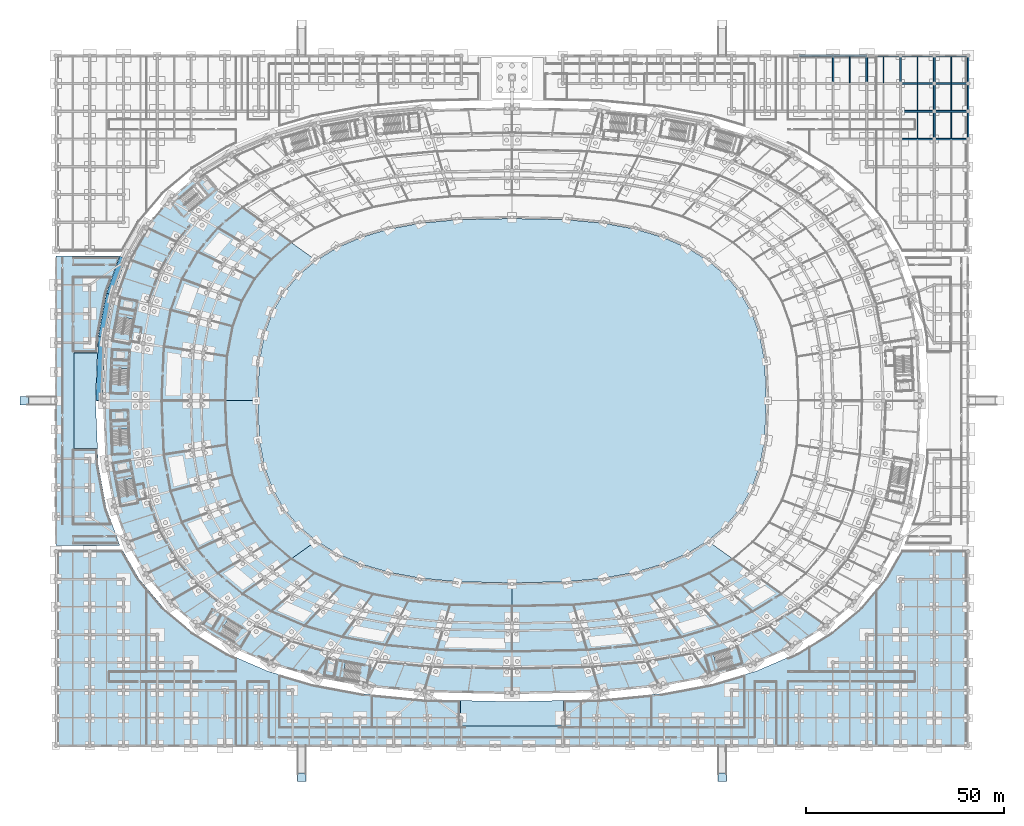
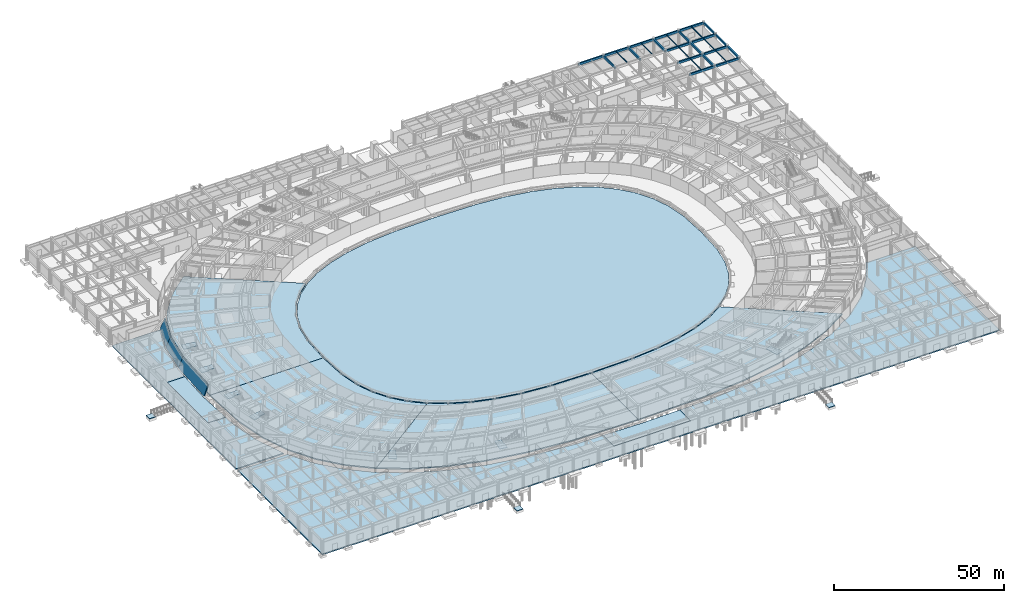
# One storey, part 38 of 88: 28 beams, 22 slabs, 10 elements without a shape of their own.
"""IFC4 building model written with IfcOpenShell, lengths in metres."""

from ifc_helpers import new_model, si_unit, direction, frame, origin, origin_2d, place, context, subcontext, project, spatial, polyline, rectangle, i_section, outline, extrude, material, layer, layer_set, material_profile, profile_set, type_object, element, aggregate, save


model = new_model("IFC4")

# Units and contexts
model_context = context("Model", 3, precision=1e-05, world=origin(), true_north=direction((0.0, 1.0)))
body_context = subcontext(model_context, "Body", "Model", "MODEL_VIEW")
ifc_project = project(units=[si_unit("LENGTHUNIT", "METRE"), si_unit("AREAUNIT", "SQUARE_METRE"), si_unit("VOLUMEUNIT", "CUBIC_METRE"), si_unit("PLANEANGLEUNIT", "RADIAN"), si_unit("MASSUNIT", "GRAM", prefix="KILO")], contexts=[model_context])

# Site, building, storey
site_placement = place(None, origin())
site = spatial("IfcSite", under=ifc_project, at=site_placement, CompositionType="ELEMENT")
building_placement = place(site_placement, origin())
building = spatial("IfcBuilding", under=site, at=building_placement, Name="Mphavela Belvedere Stadium", CompositionType="ELEMENT")
storey_placement = place(building_placement, origin())
storey = spatial("IfcBuildingStorey", under=building, at=storey_placement, Name="L00", CompositionType="ELEMENT", Elevation=0.0)

# Beams
ifc_material_1 = material(Name="Steel S355", Category="steel")
ifc_material_profile_1 = material_profile(ifc_material_1, i_section(OverallWidth=0.169921875, OverallDepth=0.360107421875, WebThickness=0.008056640625, FlangeThickness=0.0126953125, at=origin_2d()), Name="IPE 360")
ifc_profile_set_1 = profile_set([ifc_material_profile_1], Name="Steel S355")
beam_type_1 = type_object("IfcBeamType", Name="BM-JOIST-IPE360", PredefinedType="JOIST", material=ifc_profile_set_1)
for number, where, z_axis, x_axis, name in (
    (1, (200.18505859375, 167.22509765625, 4.9599609375), (0.0, 1.0, 0.0), (-1.0, 0.0, 0.0), "North Mast and Ceremonial End Forecourt secondary joist L00 24-7"),
    (2, (208.70361328125, 167.22509765625, 4.9599609375), (0.0, 1.0, 0.0), (-1.0, 0.0, 0.0), "North Mast and Ceremonial End Forecourt secondary joist L00 25-7"),
    (3, (217.221923828125, 153.22509765625, 4.9599609375), (0.0, 1.0, 0.0), (-1.0, 0.0, 0.0), "North Mast and Ceremonial End Forecourt secondary joist L00 26-5"),
    (4, (217.221923828125, 160.22509765625, 4.9599609375), (0.0, 1.0, 0.0), (-1.0, 0.0, 0.0), "North Mast and Ceremonial End Forecourt secondary joist L00 26-6"),
    (5, (217.221923828125, 167.22509765625, 4.9599609375), (0.0, 1.0, 0.0), (-1.0, 0.0, 0.0), "North Mast and Ceremonial End Forecourt secondary joist L00 26-7"),
    (6, (225.740478515625, 153.22509765625, 4.9599609375), (0.0, 1.0, 0.0), (-1.0, 0.0, 0.0), "North Mast and Ceremonial End Forecourt secondary joist L00 27-5"),
    (7, (225.740478515625, 160.22509765625, 4.9599609375), (0.0, 1.0, 0.0), (-1.0, 0.0, 0.0), "North Mast and Ceremonial End Forecourt secondary joist L00 27-6"),
    (8, (225.740478515625, 167.22509765625, 4.9599609375), (0.0, 1.0, 0.0), (-1.0, 0.0, 0.0), "North Mast and Ceremonial End Forecourt secondary joist L00 27-7"),
):
    element("IfcBeam", number, at=place(storey_placement, frame(where, z_axis=z_axis, x_axis=x_axis)), inside=storey, type_object=beam_type_1, Name=name, PredefinedType="JOIST", context=body_context, shape_type="SweptSolid", body=[
        extrude(i_section(OverallWidth=0.169921875, OverallDepth=0.360107421875, WebThickness=0.008056640625, FlangeThickness=0.0126953125, at=origin_2d()), origin(), (0.0, 0.0, 1.0), 6.5498046875),
    ])
ifc_material_2 = material(Name="Concrete C40/50", Category="concrete")
ifc_material_profile_2 = material_profile(ifc_material_2, rectangle(XDim=0.449951171875, YDim=0.75, at=origin_2d()), Name="RC 450x750")
ifc_profile_set_2 = profile_set([ifc_material_profile_2], Name="Concrete C40/50")
beam_type_2 = type_object("IfcBeamType", Name="BM-RC450x750", PredefinedType="BEAM", material=ifc_profile_set_2)
beam_1_placement = place(storey_placement, frame((187.406982421875, 174.0, 4.764892578125), z_axis=(1.0, 0.0, 0.0), x_axis=(0.0, 1.0, 0.0)))
element("IfcBeam", 9, at=beam_1_placement, inside=storey, type_object=beam_type_2, Name="North Mast and Ceremonial End Forecourt entablature beam X L00 23-8", PredefinedType="BEAM", context=body_context, shape_type="SweptSolid", body=[
    extrude(rectangle(XDim=0.449951171875, YDim=0.75, at=origin_2d()), origin(), (0.0, 0.0, 1.0), 8.51904296875),
])
beam_2_placement = place(storey_placement, frame((195.926025390625, 167.0, 4.764892578125), z_axis=(0.0, 1.0, 0.0), x_axis=(-1.0, 0.0, 0.0)))
element("IfcBeam", 10, at=beam_2_placement, inside=storey, type_object=beam_type_2, Name="North Mast and Ceremonial End Forecourt entablature beam Y L00 24-7", PredefinedType="BEAM", context=body_context, shape_type="SweptSolid", body=[
    extrude(rectangle(XDim=0.449951171875, YDim=0.75, at=origin_2d()), origin(), (0.0, 0.0, 1.0), 7.0),
])
beam_3_placement = place(storey_placement, frame((195.926025390625, 174.0, 4.764892578125), z_axis=(1.0, 0.0, 0.0), x_axis=(0.0, 1.0, 0.0)))
element("IfcBeam", 11, at=beam_3_placement, inside=storey, type_object=beam_type_2, Name="North Mast and Ceremonial End Forecourt entablature beam X L00 24-8", PredefinedType="BEAM", context=body_context, shape_type="SweptSolid", body=[
    extrude(rectangle(XDim=0.449951171875, YDim=0.75, at=origin_2d()), origin(), (0.0, 0.0, 1.0), 8.51806640625),
])
beam_4_placement = place(storey_placement, frame((204.444091796875, 167.0, 4.764892578125), z_axis=(0.0, 1.0, 0.0), x_axis=(-1.0, 0.0, 0.0)))
element("IfcBeam", 12, at=beam_4_placement, inside=storey, type_object=beam_type_2, Name="North Mast and Ceremonial End Forecourt entablature beam Y L00 25-7", PredefinedType="BEAM", context=body_context, shape_type="SweptSolid", body=[
    extrude(rectangle(XDim=0.449951171875, YDim=0.75, at=origin_2d()), origin(), (0.0, 0.0, 1.0), 7.0),
])
beam_5_placement = place(storey_placement, frame((204.444091796875, 174.0, 4.764892578125), z_axis=(1.0, 0.0, 0.0), x_axis=(0.0, 1.0, 0.0)))
element("IfcBeam", 13, at=beam_5_placement, inside=storey, type_object=beam_type_2, Name="North Mast and Ceremonial End Forecourt entablature beam X L00 25-8", PredefinedType="BEAM", context=body_context, shape_type="SweptSolid", body=[
    extrude(rectangle(XDim=0.449951171875, YDim=0.75, at=origin_2d()), origin(), (0.0, 0.0, 1.0), 8.518798828125),
])
for number, where, z_axis, x_axis, name in (
    (14, (212.962890625, 153.0, 4.764892578125), (1.0, 0.0, 0.0), (0.0, 1.0, 0.0), "North Mast and Ceremonial End Forecourt entablature beam X L00 26-5"),
    (15, (212.962890625, 160.0, 4.764892578125), (1.0, 0.0, 0.0), (0.0, 1.0, 0.0), "North Mast and Ceremonial End Forecourt entablature beam X L00 26-6"),
    (16, (212.962890625, 167.0, 4.764892578125), (1.0, 0.0, 0.0), (0.0, 1.0, 0.0), "North Mast and Ceremonial End Forecourt entablature beam X L00 26-7"),
):
    element("IfcBeam", number, at=place(storey_placement, frame(where, z_axis=z_axis, x_axis=x_axis)), inside=storey, type_object=beam_type_2, Name=name, PredefinedType="BEAM", context=body_context, shape_type="SweptSolid", body=[
        extrude(rectangle(XDim=0.449951171875, YDim=0.75, at=origin_2d()), origin(), (0.0, 0.0, 1.0), 8.51806640625),
    ])
beam_6_placement = place(storey_placement, frame((212.962890625, 167.0, 4.764892578125), z_axis=(0.0, 1.0, 0.0), x_axis=(-1.0, 0.0, 0.0)))
element("IfcBeam", 17, at=beam_6_placement, inside=storey, type_object=beam_type_2, Name="North Mast and Ceremonial End Forecourt entablature beam Y L00 26-7", PredefinedType="BEAM", context=body_context, shape_type="SweptSolid", body=[
    extrude(rectangle(XDim=0.449951171875, YDim=0.75, at=origin_2d()), origin(), (0.0, 0.0, 1.0), 7.0),
])
beam_7_placement = place(storey_placement, frame((212.962890625, 174.0, 4.764892578125), z_axis=(1.0, 0.0, 0.0), x_axis=(0.0, 1.0, 0.0)))
element("IfcBeam", 18, at=beam_7_placement, inside=storey, type_object=beam_type_2, Name="North Mast and Ceremonial End Forecourt entablature beam X L00 26-8", PredefinedType="BEAM", context=body_context, shape_type="SweptSolid", body=[
    extrude(rectangle(XDim=0.449951171875, YDim=0.75, at=origin_2d()), origin(), (0.0, 0.0, 1.0), 8.51806640625),
])
beam_8_placement = place(storey_placement, frame((221.48095703125, 153.0, 4.764892578125), z_axis=(1.0, 0.0, 0.0), x_axis=(0.0, 1.0, 0.0)))
element("IfcBeam", 19, at=beam_8_placement, inside=storey, type_object=beam_type_2, Name="North Mast and Ceremonial End Forecourt entablature beam X L00 27-5", PredefinedType="BEAM", context=body_context, shape_type="SweptSolid", body=[
    extrude(rectangle(XDim=0.449951171875, YDim=0.75, at=origin_2d()), origin(), (0.0, 0.0, 1.0), 8.51904296875),
])
beam_9_placement = place(storey_placement, frame((221.48095703125, 153.0, 4.764892578125), z_axis=(0.0, 1.0, 0.0), x_axis=(-1.0, 0.0, 0.0)))
element("IfcBeam", 20, at=beam_9_placement, inside=storey, type_object=beam_type_2, Name="North Mast and Ceremonial End Forecourt entablature beam Y L00 27-5", PredefinedType="BEAM", context=body_context, shape_type="SweptSolid", body=[
    extrude(rectangle(XDim=0.449951171875, YDim=0.75, at=origin_2d()), origin(), (0.0, 0.0, 1.0), 7.0),
])
beam_10_placement = place(storey_placement, frame((221.48095703125, 160.0, 4.764892578125), z_axis=(1.0, 0.0, 0.0), x_axis=(0.0, 1.0, 0.0)))
element("IfcBeam", 21, at=beam_10_placement, inside=storey, type_object=beam_type_2, Name="North Mast and Ceremonial End Forecourt entablature beam X L00 27-6", PredefinedType="BEAM", context=body_context, shape_type="SweptSolid", body=[
    extrude(rectangle(XDim=0.449951171875, YDim=0.75, at=origin_2d()), origin(), (0.0, 0.0, 1.0), 8.51904296875),
])
beam_11_placement = place(storey_placement, frame((221.48095703125, 160.0, 4.764892578125), z_axis=(0.0, 1.0, 0.0), x_axis=(-1.0, 0.0, 0.0)))
element("IfcBeam", 22, at=beam_11_placement, inside=storey, type_object=beam_type_2, Name="North Mast and Ceremonial End Forecourt entablature beam Y L00 27-6", PredefinedType="BEAM", context=body_context, shape_type="SweptSolid", body=[
    extrude(rectangle(XDim=0.449951171875, YDim=0.75, at=origin_2d()), origin(), (0.0, 0.0, 1.0), 7.0),
])
beam_12_placement = place(storey_placement, frame((221.48095703125, 167.0, 4.764892578125), z_axis=(1.0, 0.0, 0.0), x_axis=(0.0, 1.0, 0.0)))
element("IfcBeam", 23, at=beam_12_placement, inside=storey, type_object=beam_type_2, Name="North Mast and Ceremonial End Forecourt entablature beam X L00 27-7", PredefinedType="BEAM", context=body_context, shape_type="SweptSolid", body=[
    extrude(rectangle(XDim=0.449951171875, YDim=0.75, at=origin_2d()), origin(), (0.0, 0.0, 1.0), 8.51904296875),
])
beam_13_placement = place(storey_placement, frame((221.48095703125, 167.0, 4.764892578125), z_axis=(0.0, 1.0, 0.0), x_axis=(-1.0, 0.0, 0.0)))
element("IfcBeam", 24, at=beam_13_placement, inside=storey, type_object=beam_type_2, Name="North Mast and Ceremonial End Forecourt entablature beam Y L00 27-7", PredefinedType="BEAM", context=body_context, shape_type="SweptSolid", body=[
    extrude(rectangle(XDim=0.449951171875, YDim=0.75, at=origin_2d()), origin(), (0.0, 0.0, 1.0), 7.0),
])
beam_14_placement = place(storey_placement, frame((221.48095703125, 174.0, 4.764892578125), z_axis=(1.0, 0.0, 0.0), x_axis=(0.0, 1.0, 0.0)))
element("IfcBeam", 25, at=beam_14_placement, inside=storey, type_object=beam_type_2, Name="North Mast and Ceremonial End Forecourt entablature beam X L00 27-8", PredefinedType="BEAM", context=body_context, shape_type="SweptSolid", body=[
    extrude(rectangle(XDim=0.449951171875, YDim=0.75, at=origin_2d()), origin(), (0.0, 0.0, 1.0), 8.51904296875),
])
for number, where, z_axis, x_axis, name in (
    (26, (230.0, 153.0, 4.764892578125), (0.0, 1.0, 0.0), (-1.0, 0.0, 0.0), "North Mast and Ceremonial End Forecourt entablature beam Y L00 28-5"),
    (27, (230.0, 160.0, 4.764892578125), (0.0, 1.0, 0.0), (-1.0, 0.0, 0.0), "North Mast and Ceremonial End Forecourt entablature beam Y L00 28-6"),
    (28, (230.0, 167.0, 4.764892578125), (0.0, 1.0, 0.0), (-1.0, 0.0, 0.0), "North Mast and Ceremonial End Forecourt entablature beam Y L00 28-7"),
):
    element("IfcBeam", number, at=place(storey_placement, frame(where, z_axis=z_axis, x_axis=x_axis)), inside=storey, type_object=beam_type_2, Name=name, PredefinedType="BEAM", context=body_context, shape_type="SweptSolid", body=[
        extrude(rectangle(XDim=0.449951171875, YDim=0.75, at=origin_2d()), origin(), (0.0, 0.0, 1.0), 7.0),
    ])

# Slabs
ifc_material_3 = material(Name="Concrete C35/45", Category="concrete")
ifc_layer_1 = layer(ifc_material_3, 0.419921875)
ifc_layer_set_1 = layer_set([ifc_layer_1], Name="Concrete C35/45")
slab_type_1 = type_object("IfcSlabType", Name="SLB-BASE-420", PredefinedType="BASESLAB", material=ifc_layer_set_1)
slab_1_placement = place(storey_placement, frame((0.0, 0.0, -0.419921875)))
element("IfcSlab", 29, at=slab_1_placement, inside=storey, type_object=slab_type_1, Name="South Axial Triumphal Peristyle Portico floor slab L00-1", PredefinedType="BASESLAB", context=body_context, shape_type="SweptSolid", body=[
    extrude(outline(polyline([(0.0, 0.0), (0.0, 49.5), (16.653564453125, 49.5), (20.852783203125, 42.2373046875), (20.957763671875, 42.0732421875), (21.07666015625, 41.919189453125), (26.980712890625, 34.927001953125), (27.106201171875, 34.79052734375), (27.242919921875, 34.6650390625), (34.425537109375, 28.60400390625), (34.5595703125, 28.499755859375), (34.700927734375, 28.406005859375), (43.160400390625, 23.259521484375), (43.4287109375, 23.12060546875), (53.1875, 18.89013671875), (53.436279296875, 18.7998046875), (64.57275390625, 15.494140625), (64.7958984375, 15.440185546875), (77.5244140625, 13.06982421875), (77.718505859375, 13.04248046875), (92.676513671875, 11.6162109375), (92.837890625, 11.606689453125), (102.0, 11.409423828125), (102.0, 5.0), (128.0, 5.0), (128.0, 11.409423828125), (137.162109375, 11.606689453125), (137.323486328125, 11.6162109375), (152.281494140625, 13.04248046875), (152.4755859375, 13.06982421875), (165.2041015625, 15.440185546875), (165.42724609375, 15.494140625), (176.563720703125, 18.7998046875), (176.8125, 18.89013671875), (186.5712890625, 23.12060546875), (186.839599609375, 23.259521484375), (195.299072265625, 28.406005859375), (195.4404296875, 28.499755859375), (195.574462890625, 28.60400390625), (202.757080078125, 34.6650390625), (202.893798828125, 34.79052734375), (203.019287109375, 34.927001953125), (208.92333984375, 41.919189453125), (209.042236328125, 42.0732421875), (209.147216796875, 42.2373046875), (213.346435546875, 49.5), (230.0, 49.5), (230.0, 0.0), (0.0, 0.0)])), origin(), (0.0, 0.0, 1.0), 0.419921875),
])
slab_2_placement = place(storey_placement, frame((0.0, 0.0, -0.419921875)))
element("IfcSlab", 30, at=slab_2_placement, inside=storey, type_object=slab_type_1, Name="West Planted Eaves Peristyle Colonnade floor slab L00-1", PredefinedType="BASESLAB", context=body_context, shape_type="SweptSolid", body=[
    extrude(outline(polyline([(16.103759765625, 123.5), (12.767333984375, 114.312744140625), (12.712646484375, 114.140380859375), (12.67236328125, 113.96435546875), (10.681640625, 103.246826171875), (10.646484375, 102.937255859375), (10.4814453125, 99.0), (4.5, 99.0), (4.5, 75.0), (10.4814453125, 75.0), (10.646484375, 71.062744140625), (10.681640625, 70.753173828125), (12.67236328125, 60.03564453125), (12.712646484375, 59.859619140625), (12.767333984375, 59.687255859375), (16.103759765625, 50.5), (0.0, 50.5), (0.0, 123.5), (16.103759765625, 123.5)])), origin(), (0.0, 0.0, 1.0), 0.419921875),
])
slab_3_placement = place(storey_placement, frame((0.0, 0.0, -0.419921875)))
element("IfcSlab", 31, at=slab_3_placement, inside=storey, type_object=slab_type_1, Name="Concourse sector slab L00-S4", PredefinedType="BASESLAB", context=body_context, shape_type="SweptSolid", body=[
    extrude(outline(polyline([(50.911865234375, 96.9404296875), (50.4951171875, 87.0), (12.179931640625, 87.0), (12.844482421875, 102.844970703125), (14.83544921875, 113.5625), (18.143798828125, 122.682373046875), (22.757568359375, 130.66162109375), (28.66162109375, 137.653564453125), (35.844482421875, 143.714599609375), (65.341064453125, 122.580322265625), (60.8349609375, 118.77783203125), (57.130859375, 114.391357421875), (54.236572265625, 109.385498046875), (52.160888671875, 103.664306640625), (50.911865234375, 96.9404296875)])), origin(), (0.0, 0.0, 1.0), 0.419921875),
])
slab_4_placement = place(storey_placement, frame((0.0, 0.0, -0.419921875)))
element("IfcSlab", 32, at=slab_4_placement, inside=storey, type_object=slab_type_1, Name="Concourse sector slab L00-S5", PredefinedType="BASESLAB", context=body_context, shape_type="SweptSolid", body=[
    extrude(outline(polyline([(60.8349609375, 55.22216796875), (65.341064453125, 51.419677734375), (35.844482421875, 30.285400390625), (28.66162109375, 36.346435546875), (22.757568359375, 43.33837890625), (18.143798828125, 51.317626953125), (14.83544921875, 60.4375), (12.844482421875, 71.155029296875), (12.179931640625, 87.0), (50.4951171875, 87.0), (50.911865234375, 77.0595703125), (52.160888671875, 70.335693359375), (54.236572265625, 64.614501953125), (57.130859375, 59.608642578125), (60.8349609375, 55.22216796875)])), origin(), (0.0, 0.0, 1.0), 0.419921875),
])
slab_5_placement = place(storey_placement, frame((0.0, 0.0, -0.419921875)))
element("IfcSlab", 33, at=slab_5_placement, inside=storey, type_object=slab_type_1, Name="Concourse sector slab L00-S6", PredefinedType="BASESLAB", context=body_context, shape_type="SweptSolid", body=[
    extrude(outline(polyline([(101.126220703125, 41.081298828125), (115.0, 40.782470703125), (115.0, 13.330078125), (92.885498046875, 13.80615234375), (77.92724609375, 15.232666015625), (65.19873046875, 17.60302734375), (54.0625, 20.90869140625), (44.3037109375, 25.13916015625), (35.844482421875, 30.285400390625), (65.341064453125, 51.419677734375), (70.648193359375, 48.19091796875), (76.770263671875, 45.537109375), (83.7568359375, 43.46337890625), (91.741943359375, 41.97607421875), (101.126220703125, 41.081298828125)])), origin(), (0.0, 0.0, 1.0), 0.419921875),
])
slab_6_placement = place(storey_placement, frame((0.0, 0.0, -0.419921875)))
element("IfcSlab", 34, at=slab_6_placement, inside=storey, type_object=slab_type_1, Name="Concourse sector slab L00-S7", PredefinedType="BASESLAB", context=body_context, shape_type="SweptSolid", body=[
    extrude(outline(polyline([(159.351806640625, 48.19091796875), (164.658935546875, 51.419677734375), (194.155517578125, 30.285400390625), (185.6962890625, 25.13916015625), (175.9375, 20.90869140625), (164.80126953125, 17.60302734375), (152.07275390625, 15.232666015625), (137.114501953125, 13.80615234375), (115.0, 13.330078125), (115.0, 40.782470703125), (128.873779296875, 41.081298828125), (138.258056640625, 41.97607421875), (146.2431640625, 43.46337890625), (153.229736328125, 45.537109375), (159.351806640625, 48.19091796875)])), origin(), (0.0, 0.0, 1.0), 0.419921875),
])
ifc_material_4 = material(Name="Planted grassed earth bank over Concrete C35/45", Category="concrete")
ifc_layer_2 = layer(ifc_material_4, 0.35009765625)
ifc_layer_set_2 = layer_set([ifc_layer_2], Name="Planted grassed earth bank over Concrete C35/45")
slab_type_2 = type_object("IfcSlabType", Name="SLB-EARTH-BANK", PredefinedType="USERDEFINED", material=ifc_layer_set_2)
slab_7_placement = place(storey_placement, frame((0.0, 0.0, -0.35009765625)))
element("IfcSlab", 35, at=slab_7_placement, inside=storey, type_object=slab_type_2, Name="South Axial Triumphal Peristyle Portico planted rainwater court", ObjectType="LANDSCAPED EARTH BANK", PredefinedType="USERDEFINED", context=body_context, shape_type="SweptSolid", body=[
    extrude(outline(polyline([(102.0, 5.0), (102.0, 11.409423828125), (114.95263671875, 11.130615234375), (115.04736328125, 11.130615234375), (128.0, 11.409423828125), (128.0, 5.0), (102.0, 5.0)])), origin(), (0.0, 0.0, 1.0), 0.35009765625),
])
slab_8_placement = place(storey_placement, frame((0.0, 0.0, -0.35009765625)))
element("IfcSlab", 36, at=slab_8_placement, inside=storey, type_object=slab_type_2, Name="West Planted Eaves Peristyle Colonnade planted rainwater court", ObjectType="LANDSCAPED EARTH BANK", PredefinedType="USERDEFINED", context=body_context, shape_type="SweptSolid", body=[
    extrude(outline(polyline([(4.5, 99.0), (10.4814453125, 99.0), (9.98193359375, 87.09228515625), (9.98193359375, 86.90771484375), (10.4814453125, 75.0), (4.5, 75.0), (4.5, 99.0)])), origin(), (0.0, 0.0, 1.0), 0.35009765625),
])
slab_9_placement = place(storey_placement, frame((16.1337890625, 123.4228515625, 0.39990234375), z_axis=(-0.882101397841, 0.32001162937, 0.345672794698), x_axis=(-0.341034865533, -0.940050647833, -5.55717e-07)))
element("IfcSlab", 37, at=slab_9_placement, inside=storey, type_object=slab_type_2, Name="Sculpted grassed earth bank 22", ObjectType="LANDSCAPED EARTH BANK", PredefinedType="USERDEFINED", context=body_context, shape_type="SweptSolid", body=[
    extrude(outline(polyline([(0.0, 0.0), (9.902750609564654, 0.0), (9.781441394974005, 3.943284045699188), (0.006740153161279173, 3.943272392235275), (0.0, 0.0)])), origin(), (0.0, 0.0, -1.0), 0.35009765625),
])
slab_10_placement = place(storey_placement, frame((12.756591796875, 114.11376953125, 0.39990234375), z_axis=(-0.922449180687, 0.171353430465, 0.346013743828), x_axis=(-0.182635218836, -0.983180744746, -9.09215e-07)))
element("IfcSlab", 38, at=slab_10_placement, inside=storey, type_object=slab_type_2, Name="Sculpted grassed earth bank 23", ObjectType="LANDSCAPED EARTH BANK", PredefinedType="USERDEFINED", context=body_context, shape_type="SweptSolid", body=[
    extrude(outline(polyline([(0.0, 0.0), (11.127095882244337, 1.1102230246251565e-16), (11.086404939591347, 3.9438171730355265), (0.10334456408215066, 3.943795746623243), (0.0, 0.0)])), origin(), (0.0, 0.0, -1.0), 0.35009765625),
])
slab_11_placement = place(storey_placement, frame((10.724365234375, 103.173828125, 0.39990234375), z_axis=(-0.938043944385, 0.039341993003, 0.34427571217), x_axis=(-0.041904563376, -0.999121618003, -2.574134e-06)))
element("IfcSlab", 39, at=slab_11_placement, inside=storey, type_object=slab_type_2, Name="Sculpted grassed earth bank 24", ObjectType="LANDSCAPED EARTH BANK", PredefinedType="USERDEFINED", context=body_context, shape_type="SweptSolid", body=[
    extrude(outline(polyline([(0.0, 0.0), (16.18805218044632, 2.7755575615628914e-17), (16.131129792839626, 3.9411658518649166), (0.15250087788983546, 3.941077659167807), (0.0, 0.0)])), origin(), (0.0, 0.0, -1.0), 0.35009765625),
])

# Stair, slab
ifc_material_5 = material(Name="Concrete C40/50", Category="concrete")
stair_type_1 = type_object("IfcStairType", Name="STR-HALF-TURN-3", PredefinedType="HALF_TURN_STAIR", material=ifc_material_5)
stair_1_placement = place(storey_placement, origin())
stair_1 = element("IfcStair", 40, at=stair_1_placement, inside=storey, type_object=stair_type_1, Name="L00 Escape stair core C06", PredefinedType="HALF_TURN_STAIR")
ifc_material_6 = material(Name="Concrete C40/50", Category="concrete")
ifc_layer_3 = layer(ifc_material_6, 0.199951171875)
ifc_layer_set_3 = layer_set([ifc_layer_3], Name="Concrete C40/50")
slab_type_3 = type_object("IfcSlabType", Name="SLB-LANDING-200", PredefinedType="LANDING", material=ifc_layer_set_3)
slab_12_placement = place(storey_placement, frame((0.0, 0.0, 2.5)))
slab_12 = element("IfcSlab", 41, at=slab_12_placement, type_object=slab_type_3, Name="ST-C06 landing 1", PredefinedType="LANDING", context=body_context, shape_type="SweptSolid", body=[
    extrude(outline(polyline([(19.73388671875, 107.5244140625), (20.113037109375, 109.56640625), (15.757568359375, 110.375244140625), (15.3134765625, 107.98388671875), (17.4912109375, 107.57958984375), (17.55615234375, 107.9287109375), (19.73388671875, 107.5244140625)])), origin(), (0.0, 0.0, 1.0), 0.199951171875),
])
aggregate(stair_1, [slab_12])

ifc_material_7 = material(Name="Concrete C40/50", Category="concrete")
stair_type_2 = type_object("IfcStairType", Name="STR-HALF-TURN-1", PredefinedType="HALF_TURN_STAIR", material=ifc_material_7)
stair_2_placement = place(storey_placement, origin())
stair_2 = element("IfcStair", 42, at=stair_2_placement, inside=storey, type_object=stair_type_2, Name="L00 Escape stair core C07", PredefinedType="HALF_TURN_STAIR")
slab_13_placement = place(storey_placement, frame((0.0, 0.0, 2.5)))
slab_13 = element("IfcSlab", 43, at=slab_13_placement, type_object=slab_type_3, Name="ST-C07 landing 1", PredefinedType="LANDING", context=body_context, shape_type="SweptSolid", body=[
    extrude(outline(polyline([(18.419677734375, 95.037841796875), (18.506591796875, 97.113037109375), (14.08056640625, 97.298583984375), (13.978759765625, 94.86865234375), (16.19189453125, 94.77587890625), (16.206787109375, 95.130615234375), (18.419677734375, 95.037841796875)])), origin(), (0.0, 0.0, 1.0), 0.199951171875),
])
aggregate(stair_2, [slab_13])

ifc_material_8 = material(Name="Concrete C40/50", Category="concrete")
stair_type_3 = type_object("IfcStairType", Name="STR-HALF-TURN-2", PredefinedType="HALF_TURN_STAIR", material=ifc_material_8)
stair_3_placement = place(storey_placement, origin())
stair_3 = element("IfcStair", 44, at=stair_3_placement, inside=storey, type_object=stair_type_3, Name="L00 Escape stair core C08", PredefinedType="HALF_TURN_STAIR")
slab_14_placement = place(storey_placement, frame((0.0, 0.0, 2.5)))
slab_14 = element("IfcSlab", 45, at=slab_14_placement, type_object=slab_type_3, Name="ST-C08 landing 1", PredefinedType="LANDING", context=body_context, shape_type="SweptSolid", body=[
    extrude(outline(polyline([(18.37841796875, 79.947265625), (18.29150390625, 82.0224609375), (13.865234375, 81.8369140625), (13.967041015625, 79.4072265625), (16.18017578125, 79.5), (16.165283203125, 79.8544921875), (18.37841796875, 79.947265625)])), origin(), (0.0, 0.0, 1.0), 0.199951171875),
])
aggregate(stair_3, [slab_14])

stair_4_placement = place(storey_placement, origin())
stair_4 = element("IfcStair", 46, at=stair_4_placement, inside=storey, type_object=stair_type_1, Name="L00 Escape stair core C09", PredefinedType="HALF_TURN_STAIR")
slab_15_placement = place(storey_placement, frame((0.0, 0.0, 2.5)))
slab_15 = element("IfcSlab", 47, at=slab_15_placement, type_object=slab_type_3, Name="ST-C09 landing 1", PredefinedType="LANDING", context=body_context, shape_type="SweptSolid", body=[
    extrude(outline(polyline([(19.5537109375, 67.4453125), (19.174560546875, 69.4873046875), (14.819091796875, 68.678466796875), (15.262939453125, 66.287353515625), (17.44091796875, 66.691650390625), (17.3759765625, 67.040771484375), (19.5537109375, 67.4453125)])), origin(), (0.0, 0.0, 1.0), 0.199951171875),
])
aggregate(stair_4, [slab_15])

stair_5_placement = place(storey_placement, origin())
stair_5 = element("IfcStair", 48, at=stair_5_placement, inside=storey, type_object=stair_type_2, Name="L00 Escape stair core C10", PredefinedType="HALF_TURN_STAIR")
slab_16_placement = place(storey_placement, frame((0.0, 0.0, 2.5)))
slab_16 = element("IfcSlab", 49, at=slab_16_placement, type_object=slab_type_3, Name="ST-C10 landing 1", PredefinedType="LANDING", context=body_context, shape_type="SweptSolid", body=[
    extrude(outline(polyline([(43.48974609375, 31.986572265625), (41.71533203125, 33.06591796875), (39.4130859375, 29.281005859375), (41.490966796875, 28.017333984375), (42.64208984375, 29.90966796875), (42.3388671875, 30.09423828125), (43.48974609375, 31.986572265625)])), origin(), (0.0, 0.0, 1.0), 0.199951171875),
])
aggregate(stair_5, [slab_16])

stair_6_placement = place(storey_placement, origin())
stair_6 = element("IfcStair", 50, at=stair_6_placement, inside=storey, type_object=stair_type_3, Name="L00 Escape stair core C11", PredefinedType="HALF_TURN_STAIR")
slab_17_placement = place(storey_placement, frame((0.0, 0.0, 2.5)))
slab_17 = element("IfcSlab", 51, at=slab_17_placement, type_object=slab_type_3, Name="ST-C11 landing 1", PredefinedType="LANDING", context=body_context, shape_type="SweptSolid", body=[
    extrude(outline(polyline([(73.041015625, 21.2158203125), (70.9990234375, 21.59619140625), (70.18798828125, 17.240966796875), (72.578857421875, 16.795654296875), (72.984375, 18.973388671875), (72.635498046875, 19.038330078125), (73.041015625, 21.2158203125)])), origin(), (0.0, 0.0, 1.0), 0.199951171875),
])
aggregate(stair_6, [slab_17])

ifc_material_9 = material(Name="Precast concrete C45/55", Category="concrete")
stair_type_4 = type_object("IfcStairType", Name="STR-TWO-RET-2", PredefinedType="TWO_STRAIGHT_RUN_STAIR", material=ifc_material_9)
stair_7_placement = place(storey_placement, origin())
stair_7 = element("IfcStair", 52, at=stair_7_placement, inside=storey, type_object=stair_type_4, Name="L00 Escape stair core P04", PredefinedType="TWO_STRAIGHT_RUN_STAIR")
slab_18_placement = place(storey_placement, frame((0.0, 0.0, 2.5)))
slab_18 = element("IfcSlab", 53, at=slab_18_placement, type_object=slab_type_3, Name="ST-P04 landing 1", PredefinedType="LANDING", context=body_context, shape_type="SweptSolid", body=[
    extrude(outline(polyline([(165.7568359375, 23.21484375), (163.765625, 22.623779296875), (165.026123046875, 18.376953125), (167.357666015625, 19.06884765625), (166.727294921875, 21.1923828125), (166.38720703125, 21.09130859375), (165.7568359375, 23.21484375)])), origin(), (0.0, 0.0, 1.0), 0.199951171875),
])
aggregate(stair_7, [slab_18])

# Ramp, slab
ifc_material_10 = material(Name="Concrete C40/50", Category="concrete")
ramp_type = type_object("IfcRampType", Name="RMP-PED-18", PredefinedType="STRAIGHT_RUN_RAMP", material=ifc_material_10)
ramp_1_placement = place(storey_placement, origin())
ramp_1 = element("IfcRamp", 54, at=ramp_1_placement, inside=storey, type_object=ramp_type, Name="Accessible pedestrian approach ramp RP1", PredefinedType="STRAIGHT_RUN_RAMP")
slab_19_placement = place(storey_placement, frame((0.0, 0.0, -0.60009765625)))
slab_19 = element("IfcSlab", 55, at=slab_19_placement, type_object=slab_type_3, Name="Ramp RP1 approach landing", PredefinedType="LANDING", context=body_context, shape_type="SweptSolid", body=[
    extrude(outline(polyline([(63.050048828125, -9.0), (63.050048828125, -6.89990234375), (60.949951171875, -6.89990234375), (60.949951171875, -9.0), (63.050048828125, -9.0)])), origin(), (0.0, 0.0, 1.0), 0.2001953125),
])
aggregate(ramp_1, [slab_19])

ramp_2_placement = place(storey_placement, origin())
ramp_2 = element("IfcRamp", 56, at=ramp_2_placement, inside=storey, type_object=ramp_type, Name="Accessible pedestrian approach ramp RP2", PredefinedType="STRAIGHT_RUN_RAMP")
slab_20_placement = place(storey_placement, frame((0.0, 0.0, -0.60009765625)))
slab_20 = element("IfcSlab", 57, at=slab_20_placement, type_object=slab_type_3, Name="Ramp RP2 approach landing", PredefinedType="LANDING", context=body_context, shape_type="SweptSolid", body=[
    extrude(outline(polyline([(169.050048828125, -9.0), (169.050048828125, -6.89990234375), (166.949951171875, -6.89990234375), (166.949951171875, -9.0), (169.050048828125, -9.0)])), origin(), (0.0, 0.0, 1.0), 0.2001953125),
])
aggregate(ramp_2, [slab_20])

ramp_3_placement = place(storey_placement, origin())
ramp_3 = element("IfcRamp", 58, at=ramp_3_placement, inside=storey, type_object=ramp_type, Name="Accessible pedestrian approach ramp RP5", PredefinedType="STRAIGHT_RUN_RAMP")
slab_21_placement = place(storey_placement, frame((0.0, 0.0, -0.60009765625)))
slab_21 = element("IfcSlab", 59, at=slab_21_placement, type_object=slab_type_3, Name="Ramp RP5 approach landing", PredefinedType="LANDING", context=body_context, shape_type="SweptSolid", body=[
    extrude(outline(polyline([(-9.0, 85.949951171875), (-6.89990234375, 85.949951171875), (-6.89990234375, 88.050048828125), (-9.0, 88.050048828125), (-9.0, 85.949951171875)])), origin(), (0.0, 0.0, 1.0), 0.2001953125),
])
aggregate(ramp_3, [slab_21])

# Slab
ifc_material_11 = material(Name="Natural turf hybrid rootzone over Concrete C35/45", Category="concrete")
ifc_layer_4 = layer(ifc_material_11, 0.4599609375)
ifc_layer_set_4 = layer_set([ifc_layer_4], Name="Natural turf hybrid rootzone over Concrete C35/45")
slab_type_4 = type_object("IfcSlabType", Name="SLB-PITCH-TURF", PredefinedType="USERDEFINED", material=ifc_layer_set_4)
slab_22_placement = place(storey_placement, frame((0.0, 0.0, -0.4599609375)))
element("IfcSlab", 60, at=slab_22_placement, inside=storey, type_object=slab_type_4, Name="Natural-turf football pitch and perimeter track apron", ObjectType="SPORTS PITCH SLAB", PredefinedType="USERDEFINED", context=body_context, shape_type="SweptSolid", body=[
    extrude(outline(polyline([(179.116943359375, 87.0), (178.70263671875, 96.880615234375), (177.461181640625, 103.56396484375), (175.39794921875, 109.2509765625), (172.52099609375, 114.2265625), (168.839111328125, 118.586669921875), (164.360107421875, 122.3662109375), (159.085205078125, 125.575439453125), (152.999755859375, 128.21337890625), (146.055419921875, 130.27490234375), (138.1181640625, 131.753173828125), (128.790283203125, 132.642578125), (115.0, 132.939453125), (101.209716796875, 132.642578125), (91.8818359375, 131.753173828125), (83.944580078125, 130.27490234375), (77.000244140625, 128.21337890625), (70.914794921875, 125.575439453125), (65.639892578125, 122.3662109375), (61.160888671875, 118.586669921875), (57.47900390625, 114.2265625), (54.60205078125, 109.2509765625), (52.538818359375, 103.56396484375), (51.29736328125, 96.880615234375), (50.883056640625, 87.0), (51.29736328125, 77.119384765625), (52.538818359375, 70.43603515625), (54.60205078125, 64.7490234375), (57.47900390625, 59.7734375), (61.160888671875, 55.413330078125), (65.639892578125, 51.6337890625), (70.914794921875, 48.424560546875), (77.000244140625, 45.78662109375), (83.944580078125, 43.72509765625), (91.8818359375, 42.246826171875), (101.209716796875, 41.357421875), (115.0, 41.060546875), (128.790283203125, 41.357421875), (138.1181640625, 42.246826171875), (146.055419921875, 43.72509765625), (152.999755859375, 45.78662109375), (159.085205078125, 48.424560546875), (164.360107421875, 51.6337890625), (168.839111328125, 55.413330078125), (172.52099609375, 59.7734375), (175.39794921875, 64.7490234375), (177.461181640625, 70.43603515625), (178.70263671875, 77.119384765625), (179.116943359375, 87.0)])), origin(), (0.0, 0.0, 1.0), 0.4599609375),
])

save(model, "model.ifc")
